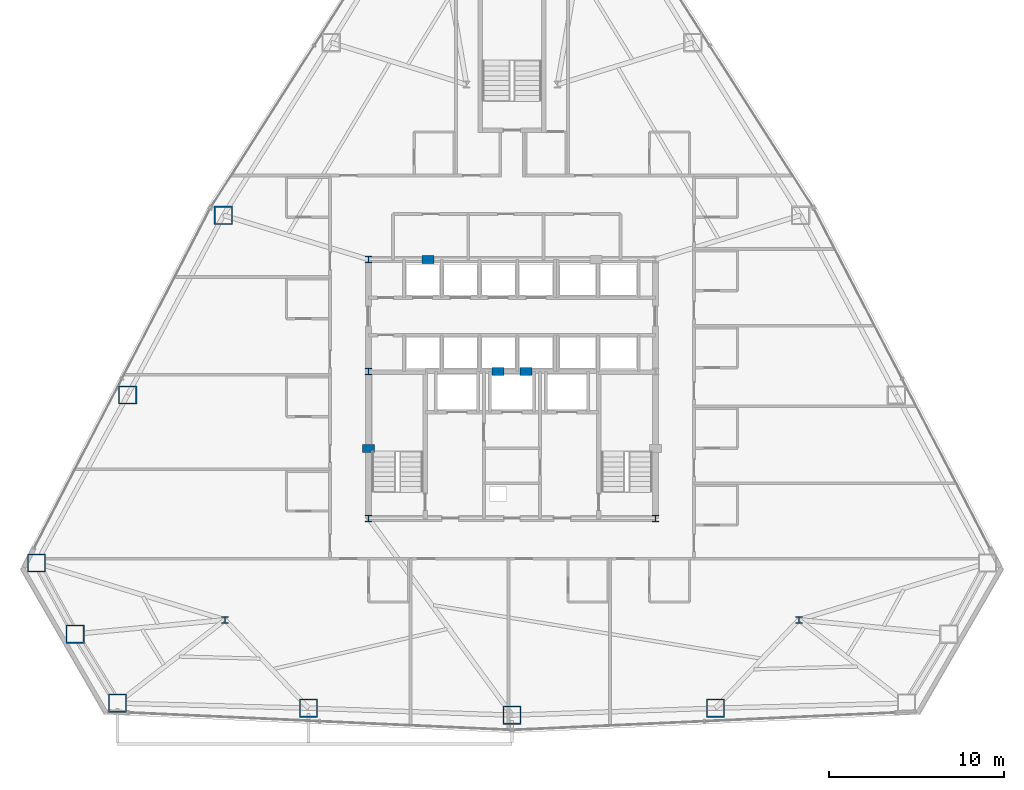
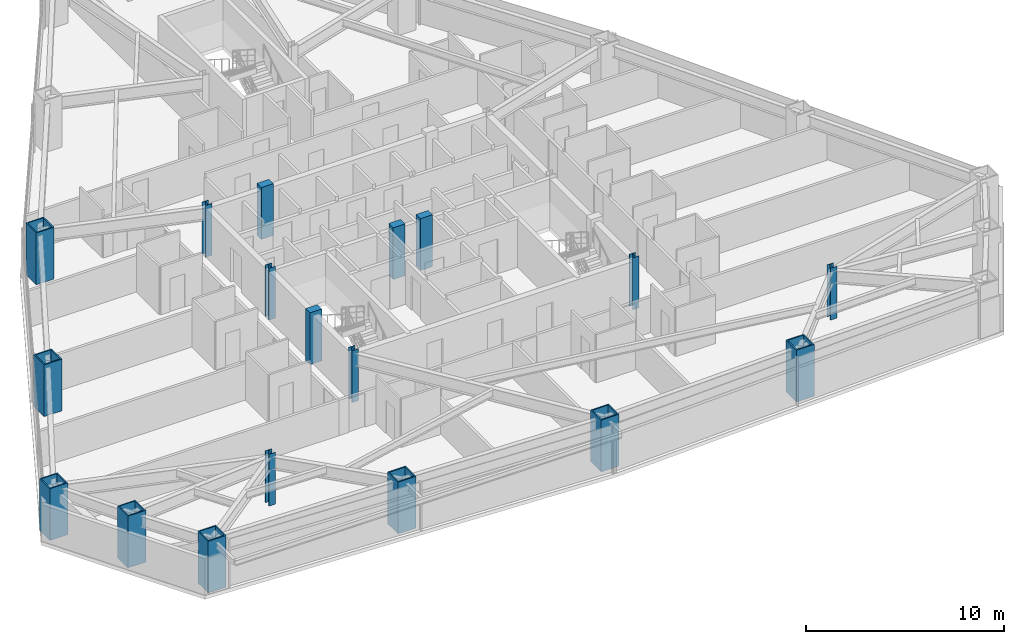
# One storey, part 1 of 13: 18 columns.
"""IFC4 building model written with IfcOpenShell, lengths in metres."""

import ifcopenshell
import ifcopenshell.guid

model = None  # the IFC model being written
_history = None  # IfcOwnerHistory: only IFC2X3 demands one
_inside = {}  # id of a spatial element -> (the spatial element, [elements in it])
_under = {}  # id of a project, library or spatial element -> (it, [spatial elements below it])
_declared = {}  # id of a project -> (the project, [libraries it declares])
_typed = {}  # id of a type object -> (the type object, [elements of that type])
_made_of = {}  # id of a material, layer set ... -> (it, [elements and type objects made of it])


def new_model(schema):
    """Start an empty IFC model of exactly this schema.

    Asked for "IFC4X3", IfcOpenShell would pick the latest addendum, in which some entities
    have other attributes; the version numbers below select the first issue.
    IFC2X3 requires an IfcOwnerHistory on every rooted entity: one is made here for all.
    """
    global model, _history
    if schema == "IFC4X3":
        model = ifcopenshell.file(schema_version=(4, 3, 0, 0))
    else:
        model = ifcopenshell.file(schema=schema)
    _inside.clear()
    _under.clear()
    _declared.clear()
    _typed.clear()
    _made_of.clear()
    _history = None
    if model.schema == "IFC2X3":
        org = make("IfcOrganization", Name="unknown")
        user = make(
            "IfcPersonAndOrganization",
            ThePerson=make("IfcPerson", FamilyName="unknown"),
            TheOrganization=org,
        )
        app = make(
            "IfcApplication",
            ApplicationDeveloper=org,
            Version="unknown",
            ApplicationFullName="unknown",
            ApplicationIdentifier="unknown",
        )
        _history = make(
            "IfcOwnerHistory",
            OwningUser=user,
            OwningApplication=app,
            ChangeAction="ADDED",
            CreationDate=0,
        )
    return model


def make(cls, **values):
    """One entity of the class cls with the attributes given. An attribute that is None is left unset."""
    return model.create_entity(
        cls, **{name: value for name, value in values.items() if value is not None}
    )


def rooted(cls, **values):
    """An entity with a GlobalId (a new one), such as an element, a storey or a relation."""
    return make(cls, GlobalId=ifcopenshell.guid.new(), OwnerHistory=_history, **values)


def si_unit(unit_type, name, prefix=None):
    """IfcSIUnit, for example si_unit("LENGTHUNIT", "METRE", prefix="MILLI")."""
    return make("IfcSIUnit", UnitType=unit_type, Prefix=prefix, Name=name)


def assignment(units):
    """IfcUnitAssignment: the units of a project."""
    return None if units is None else make("IfcUnitAssignment", Units=units)


def point(xyz):
    """IfcCartesianPoint."""
    return None if xyz is None else make("IfcCartesianPoint", Coordinates=xyz)


def direction(xyz):
    """IfcDirection."""
    return None if xyz is None else make("IfcDirection", DirectionRatios=xyz)


def frame(location, z_axis=None, x_axis=None):
    """IfcAxis2Placement3D, a coordinate frame: its origin and axes. An axis left out is left unset."""
    return make(
        "IfcAxis2Placement3D",
        Location=point(location),
        Axis=direction(z_axis),
        RefDirection=direction(x_axis),
    )


def frame_2d(location, x_axis=None):
    """IfcAxis2Placement2D, a coordinate frame in the plane: its origin and x axis."""
    return make(
        "IfcAxis2Placement2D", Location=point(location), RefDirection=direction(x_axis)
    )


def origin():
    """The frame at (0, 0, 0) with its axes left unset."""
    return frame((0.0, 0.0, 0.0))


def origin_2d():
    """The frame at (0, 0) in the plane with its x axis left unset."""
    return frame_2d((0.0, 0.0))


def place(relative_to, where):
    """IfcLocalPlacement: puts the frame where relative to a parent placement (None: the world)."""
    return make(
        "IfcLocalPlacement", PlacementRelTo=relative_to, RelativePlacement=where
    )


def context(
    kind, dimensions, precision=None, world=None, true_north=None, identifier=None
):
    """IfcGeometricRepresentationContext, for example the 3D "Model" context."""
    return make(
        "IfcGeometricRepresentationContext",
        ContextIdentifier=identifier,
        ContextType=kind,
        CoordinateSpaceDimension=dimensions,
        Precision=precision,
        WorldCoordinateSystem=world,
        TrueNorth=true_north,
    )


def subcontext(parent, identifier, kind, view, scale=None):
    """IfcGeometricRepresentationSubContext, for example "Body" below "Model"."""
    return make(
        "IfcGeometricRepresentationSubContext",
        ContextIdentifier=identifier,
        ContextType=kind,
        ParentContext=parent,
        TargetScale=scale,
        TargetView=view,
    )


def project(units=None, contexts=None):
    """IfcProject with its units and contexts."""
    return rooted(
        "IfcProject",
        Name="project",
        RepresentationContexts=contexts,
        UnitsInContext=assignment(units),
    )


def spatial(cls, under=None, at=None, **own):
    """A site, building, storey or space (cls), placed at a placement, below another one or the project."""
    s = rooted(cls, ObjectPlacement=at, **own)
    if under is not None:
        _under.setdefault(under.id(), (under, []))[1].append(s)
    return s


def profile(cls, at=None, kind="AREA", **sizes):
    """A parametric profile (cls). Its sizes go by their IFC names, for example OverallWidth=200.0."""
    return make(cls, ProfileType=kind, Position=at, **sizes)


def rectangle(**sizes):
    """IfcRectangleProfileDef."""
    return profile("IfcRectangleProfileDef", **sizes)


def hollow_rectangle(**sizes):
    """IfcRectangleHollowProfileDef."""
    return profile("IfcRectangleHollowProfileDef", **sizes)


def i_section(**sizes):
    """IfcIShapeProfileDef."""
    return profile("IfcIShapeProfileDef", **sizes)


def extrude(swept, where, along, depth):
    """IfcExtrudedAreaSolid: the profile swept, set in the frame where, extruded along a direction by depth."""
    return make(
        "IfcExtrudedAreaSolid",
        SweptArea=swept,
        Position=where,
        ExtrudedDirection=direction(along),
        Depth=depth,
    )


def shape(context_of_items, identifier, shape_type, items):
    """IfcShapeRepresentation: the items that make up one representation, for example the "Body"."""
    return make(
        "IfcShapeRepresentation",
        ContextOfItems=context_of_items,
        RepresentationIdentifier=identifier,
        RepresentationType=shape_type,
        Items=items,
    )


def material(Name=None, Category=None):
    """IfcMaterial."""
    return make("IfcMaterial", Name=Name, Category=Category)


def material_profile(
    of_material, cross_section, Name=None, Category=None, Priority=None
):
    """IfcMaterialProfile: a cross section and its material."""
    return make(
        "IfcMaterialProfile",
        Name=Name,
        Material=of_material,
        Profile=cross_section,
        Priority=Priority,
        Category=Category,
    )


def profile_set(profiles, Name=None, composite=None):
    """IfcMaterialProfileSet."""
    return make(
        "IfcMaterialProfileSet",
        Name=Name,
        MaterialProfiles=profiles,
        CompositeProfile=composite,
    )


def made_of(thing, what):
    """Note that an element or type object is made of a material, layer set ...; save() writes the relation."""
    if what is not None:
        _made_of.setdefault(what.id(), (what, []))[1].append(thing)
    return thing


def type_object(cls, material=None, **own):
    """A type object (cls), such as IfcWallType, which elements share."""
    return made_of(rooted(cls, **own), material)


def element(
    cls,
    number,
    at=None,
    inside=None,
    cuts=None,
    type_object=None,
    material=None,
    context=None,
    identifier="Body",
    shape_type=None,
    held_by="IfcProductDefinitionShape",
    body=None,
    shapes=None,
    **own,
):
    """One element of the class cls, such as IfcWall. Its Tag is "e" and its number.

    at: its placement. inside: the storey or other place that contains it. cuts: it is an
    opening in that element (IfcRelVoidsElement). A single representation is given by context,
    identifier, shape_type and body (its items); several are given by shapes. held_by: the class
    of the entity that holds the representations. save() writes the other relations.
    """
    e = rooted(cls, Tag="e%d" % number, ObjectPlacement=at, **own)
    if body is not None:
        shapes = [shape(context, identifier, shape_type, body)]
    if shapes is not None:
        e.Representation = make(held_by, Representations=shapes)
    if inside is not None:
        _inside.setdefault(inside.id(), (inside, []))[1].append(e)
    if cuts is not None:
        rooted(
            "IfcRelVoidsElement", RelatingBuildingElement=cuts, RelatedOpeningElement=e
        )
    if type_object is not None:
        _typed.setdefault(type_object.id(), (type_object, []))[1].append(e)
    return made_of(e, material)


def aggregate(whole, parts):
    """IfcRelAggregates: a whole, such as a stair, and the parts it consists of."""
    return rooted("IfcRelAggregates", RelatingObject=whole, RelatedObjects=parts)


def save(model, path):
    """Write the relations noted so far, then the file.

    IfcRelAggregates (storeys below a building ...), IfcRelContainedInSpatialStructure (elements
    in a storey), IfcRelDefinesByType, IfcRelAssociatesMaterial and IfcRelDeclares: one each for
    every whole, place, type object, material and project.
    """
    for whole, parts in _under.values():
        aggregate(whole, parts)
    for where, things in _inside.values():
        rooted(
            "IfcRelContainedInSpatialStructure",
            RelatedElements=things,
            RelatingStructure=where,
        )
    for kind, things in _typed.values():
        rooted("IfcRelDefinesByType", RelatedObjects=things, RelatingType=kind)
    for what, things in _made_of.values():
        rooted("IfcRelAssociatesMaterial", RelatedObjects=things, RelatingMaterial=what)
    for by, libraries in _declared.values():
        rooted("IfcRelDeclares", RelatingContext=by, RelatedDefinitions=libraries)
    model.write(path)


model = new_model("IFC4")

# Units and contexts
model_context = context("Model", 3, precision=1e-05, world=origin(), true_north=direction((0.0, 1.0)))
body_context = subcontext(model_context, "Body", "Model", "MODEL_VIEW")
ifc_project = project(units=[si_unit("LENGTHUNIT", "METRE"), si_unit("AREAUNIT", "SQUARE_METRE"), si_unit("VOLUMEUNIT", "CUBIC_METRE"), si_unit("PLANEANGLEUNIT", "RADIAN"), si_unit("MASSUNIT", "GRAM", prefix="KILO")], contexts=[model_context])

# Site, building, storey
site_placement = place(None, origin())
site = spatial("IfcSite", under=ifc_project, at=site_placement, CompositionType="ELEMENT")
building_placement = place(site_placement, origin())
building = spatial("IfcBuilding", under=site, at=building_placement, Name="Varakhsha Concourse Tower", CompositionType="ELEMENT")
storey_placement = place(building_placement, frame((0.0, 0.0, 89.39990234375)))
storey = spatial("IfcBuildingStorey", under=building, at=storey_placement, Name="L25", CompositionType="ELEMENT", Elevation=89.39990234375)

# Columns
ifc_material_1 = material(Name="Structural Steel ASTM A992 Grade 50", Category="steel")
ifc_material_profile_1 = material_profile(ifc_material_1, i_section(OverallWidth=0.3740234375, OverallDepth=0.3720703125, WebThickness=0.01611328125, FlangeThickness=0.02587890625, at=origin_2d()), Name="W14X132")
ifc_profile_set_1 = profile_set([ifc_material_profile_1], Name="Structural Steel ASTM A992 Grade 50")
column_type_1 = type_object("IfcColumnType", Name="CL-CORE-W14X132", PredefinedType="COLUMN", material=ifc_profile_set_1)
for number, where, z_axis, x_axis, name in (
    (1, (31.800048828125, 16.39990234375, 0.0), (0.0, 0.0, 1.0), (1.0, 0.0, 0.0), "L25 Core Column CC-SW"),
    (2, (48.199951171875, 16.39990234375, 0.0), (0.0, 0.0, 1.0), (1.0, 0.0, 0.0), "L25 Core Column CC-SE"),
    (3, (31.800048828125, 24.800048828125, 0.0), (0.0, 0.0, 1.0), (1.0, 0.0, 0.0), "L25 Core Column CC-MW"),
    (4, (31.800048828125, 31.199951171875, 0.0), (0.0, 0.0, 1.0), (1.0, 0.0, 0.0), "L25 Core Column CC-NW"),
    (5, (23.60009765625, 10.60009765625, 0.0), (0.0, 0.0, 1.0), (1.0, 0.0, 0.0), "L25 Core Column SS-W"),
    (6, (56.39990234375, 10.60009765625, 0.0), (0.0, 0.0, 1.0), (1.0, 0.0, 0.0), "L25 Core Column SS-E"),
):
    element("IfcColumn", number, at=place(storey_placement, frame(where, z_axis=z_axis, x_axis=x_axis)), inside=storey, type_object=column_type_1, Name=name, PredefinedType="COLUMN", context=body_context, shape_type="SweptSolid", body=[
        extrude(i_section(OverallWidth=0.3740234375, OverallDepth=0.3720703125, WebThickness=0.01611328125, FlangeThickness=0.02587890625, at=origin_2d()), origin(), (0.0, 0.0, 1.0), 3.2001953125),
    ])
ifc_material_2 = material(Name="Concrete fc 65 MPa", Category="concrete")
ifc_material_profile_2 = material_profile(ifc_material_2, rectangle(XDim=0.699951171875, YDim=0.449951171875, at=origin_2d()), Name="RC 700x450")
ifc_profile_set_2 = profile_set([ifc_material_profile_2], Name="Concrete fc 65 MPa")
column_type_2 = type_object("IfcColumnType", Name="CL-PIL-700X450", PredefinedType="PILASTER", material=ifc_profile_set_2)
for number, where, z_axis, x_axis, name in (
    (7, (31.800048828125, 20.39990234375, 0.0), (0.0, 0.0, 1.0), (1.0, 0.0, 0.0), "L25 Core Boundary Pilaster PIL-W1"),
    (8, (35.199951171875, 31.199951171875, 0.0), (0.0, 0.0, 1.0), (1.0, 0.0, 0.0), "L25 Core Boundary Pilaster PIL-N1"),
    (9, (39.199951171875, 24.800048828125, 0.0), (0.0, 0.0, 1.0), (1.0, 0.0, 0.0), "L25 Core Boundary Pilaster PIL-M1"),
    (10, (40.800048828125, 24.800048828125, 0.0), (0.0, 0.0, 1.0), (1.0, 0.0, 0.0), "L25 Core Boundary Pilaster PIL-M2"),
):
    element("IfcColumn", number, at=place(storey_placement, frame(where, z_axis=z_axis, x_axis=x_axis)), inside=storey, type_object=column_type_2, Name=name, PredefinedType="PILASTER", context=body_context, shape_type="SweptSolid", body=[
        extrude(rectangle(XDim=0.699951171875, YDim=0.449951171875, at=origin_2d()), origin(), (0.0, 0.0, 1.0), 3.2001953125),
    ])
ifc_material_3 = material(Name="Structural Steel ASTM A572 Grade 50", Category="steel")
ifc_material_profile_3 = material_profile(ifc_material_3, hollow_rectangle(XDim=1.050048828125, YDim=1.050048828125, WallThickness=0.070068359375, at=origin_2d()), Name="BOX 1050x1050x70")
ifc_profile_set_3 = profile_set([ifc_material_profile_3], Name="Structural Steel ASTM A572 Grade 50")
column_type_3 = type_object("IfcColumnType", Name="CL-TUBE-1050", PredefinedType="COLUMN", material=ifc_profile_set_3)
for number, where, z_axis, x_axis, name in (
    (11, (23.50390625, 33.72412109375, 0.0), (0.0, 0.0, 1.0), (1.0, 0.0, 0.0), "L25 Framed-Tube Column TC05"),
    (12, (18.033203125, 23.45458984375, 0.0), (0.0, 0.0, 1.0), (1.0, 0.0, 0.0), "L25 Framed-Tube Column TC06"),
    (13, (12.822509765625, 13.849365234375, 0.0), (0.0, 0.0, 1.0), (1.0, 0.0, 0.0), "L25 Framed-Tube Column TC07"),
    (14, (15.03173828125, 9.784423828125, 0.0), (0.0, 0.0, 1.0), (1.0, 0.0, 0.0), "L25 Framed-Tube Column TC08"),
    (15, (17.447265625, 5.8388671875, 0.0), (0.0, 0.0, 1.0), (1.0, 0.0, 0.0), "L25 Framed-Tube Column TC09"),
    (16, (28.37109375, 5.549072265625, 0.0), (0.0, 0.0, 1.0), (1.0, 0.0, 0.0), "L25 Framed-Tube Column TC10"),
    (17, (40.0, 5.15185546875, 0.0), (0.0, 0.0, 1.0), (1.0, 0.0, 0.0), "L25 Framed-Tube Column TC11"),
    (18, (51.62890625, 5.549072265625, 0.0), (0.0, 0.0, 1.0), (1.0, 0.0, 0.0), "L25 Framed-Tube Column TC12"),
):
    element("IfcColumn", number, at=place(storey_placement, frame(where, z_axis=z_axis, x_axis=x_axis)), inside=storey, type_object=column_type_3, Name=name, PredefinedType="COLUMN", context=body_context, shape_type="SweptSolid", body=[
        extrude(hollow_rectangle(XDim=1.050048828125, YDim=1.050048828125, WallThickness=0.070068359375, at=origin_2d()), origin(), (0.0, 0.0, 1.0), 3.2001953125),
    ])

save(model, "model.ifc")
